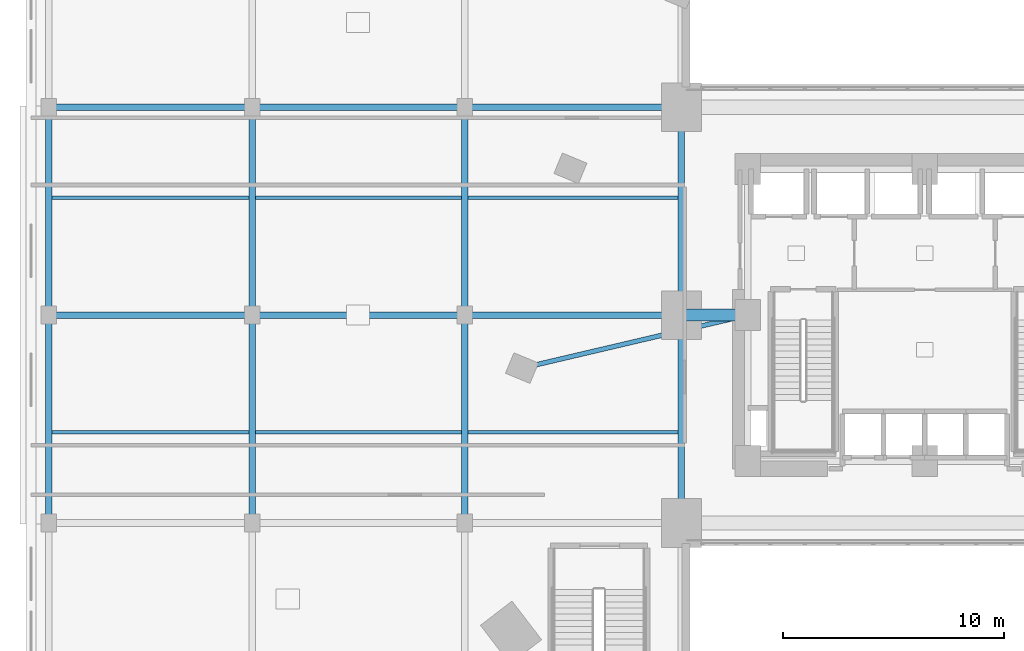
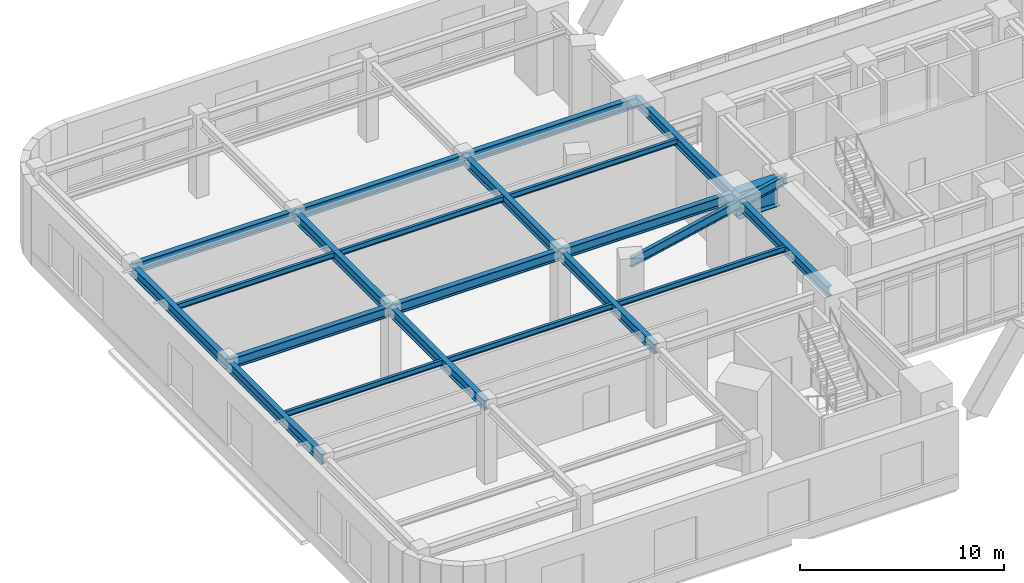
# One storey, part 3 of 26: 22 beams.
"""IFC4 building model written with IfcOpenShell, lengths in metres."""

import ifcopenshell
import ifcopenshell.guid

model = None  # the IFC model being written
_history = None  # IfcOwnerHistory: only IFC2X3 demands one
_inside = {}  # id of a spatial element -> (the spatial element, [elements in it])
_under = {}  # id of a project, library or spatial element -> (it, [spatial elements below it])
_declared = {}  # id of a project -> (the project, [libraries it declares])
_typed = {}  # id of a type object -> (the type object, [elements of that type])
_made_of = {}  # id of a material, layer set ... -> (it, [elements and type objects made of it])


def new_model(schema):
    """Start an empty IFC model of exactly this schema.

    Asked for "IFC4X3", IfcOpenShell would pick the latest addendum, in which some entities
    have other attributes; the version numbers below select the first issue.
    IFC2X3 requires an IfcOwnerHistory on every rooted entity: one is made here for all.
    """
    global model, _history
    if schema == "IFC4X3":
        model = ifcopenshell.file(schema_version=(4, 3, 0, 0))
    else:
        model = ifcopenshell.file(schema=schema)
    _inside.clear()
    _under.clear()
    _declared.clear()
    _typed.clear()
    _made_of.clear()
    _history = None
    if model.schema == "IFC2X3":
        org = make("IfcOrganization", Name="unknown")
        user = make(
            "IfcPersonAndOrganization",
            ThePerson=make("IfcPerson", FamilyName="unknown"),
            TheOrganization=org,
        )
        app = make(
            "IfcApplication",
            ApplicationDeveloper=org,
            Version="unknown",
            ApplicationFullName="unknown",
            ApplicationIdentifier="unknown",
        )
        _history = make(
            "IfcOwnerHistory",
            OwningUser=user,
            OwningApplication=app,
            ChangeAction="ADDED",
            CreationDate=0,
        )
    return model


def make(cls, **values):
    """One entity of the class cls with the attributes given. An attribute that is None is left unset."""
    return model.create_entity(
        cls, **{name: value for name, value in values.items() if value is not None}
    )


def rooted(cls, **values):
    """An entity with a GlobalId (a new one), such as an element, a storey or a relation."""
    return make(cls, GlobalId=ifcopenshell.guid.new(), OwnerHistory=_history, **values)


def si_unit(unit_type, name, prefix=None):
    """IfcSIUnit, for example si_unit("LENGTHUNIT", "METRE", prefix="MILLI")."""
    return make("IfcSIUnit", UnitType=unit_type, Prefix=prefix, Name=name)


def assignment(units):
    """IfcUnitAssignment: the units of a project."""
    return None if units is None else make("IfcUnitAssignment", Units=units)


def point(xyz):
    """IfcCartesianPoint."""
    return None if xyz is None else make("IfcCartesianPoint", Coordinates=xyz)


def direction(xyz):
    """IfcDirection."""
    return None if xyz is None else make("IfcDirection", DirectionRatios=xyz)


def frame(location, z_axis=None, x_axis=None):
    """IfcAxis2Placement3D, a coordinate frame: its origin and axes. An axis left out is left unset."""
    return make(
        "IfcAxis2Placement3D",
        Location=point(location),
        Axis=direction(z_axis),
        RefDirection=direction(x_axis),
    )


def frame_2d(location, x_axis=None):
    """IfcAxis2Placement2D, a coordinate frame in the plane: its origin and x axis."""
    return make(
        "IfcAxis2Placement2D", Location=point(location), RefDirection=direction(x_axis)
    )


def origin():
    """The frame at (0, 0, 0) with its axes left unset."""
    return frame((0.0, 0.0, 0.0))


def origin_2d():
    """The frame at (0, 0) in the plane with its x axis left unset."""
    return frame_2d((0.0, 0.0))


def place(relative_to, where):
    """IfcLocalPlacement: puts the frame where relative to a parent placement (None: the world)."""
    return make(
        "IfcLocalPlacement", PlacementRelTo=relative_to, RelativePlacement=where
    )


def context(
    kind, dimensions, precision=None, world=None, true_north=None, identifier=None
):
    """IfcGeometricRepresentationContext, for example the 3D "Model" context."""
    return make(
        "IfcGeometricRepresentationContext",
        ContextIdentifier=identifier,
        ContextType=kind,
        CoordinateSpaceDimension=dimensions,
        Precision=precision,
        WorldCoordinateSystem=world,
        TrueNorth=true_north,
    )


def subcontext(parent, identifier, kind, view, scale=None):
    """IfcGeometricRepresentationSubContext, for example "Body" below "Model"."""
    return make(
        "IfcGeometricRepresentationSubContext",
        ContextIdentifier=identifier,
        ContextType=kind,
        ParentContext=parent,
        TargetScale=scale,
        TargetView=view,
    )


def project(units=None, contexts=None):
    """IfcProject with its units and contexts."""
    return rooted(
        "IfcProject",
        Name="project",
        RepresentationContexts=contexts,
        UnitsInContext=assignment(units),
    )


def spatial(cls, under=None, at=None, **own):
    """A site, building, storey or space (cls), placed at a placement, below another one or the project."""
    s = rooted(cls, ObjectPlacement=at, **own)
    if under is not None:
        _under.setdefault(under.id(), (under, []))[1].append(s)
    return s


def profile(cls, at=None, kind="AREA", **sizes):
    """A parametric profile (cls). Its sizes go by their IFC names, for example OverallWidth=200.0."""
    return make(cls, ProfileType=kind, Position=at, **sizes)


def i_section(**sizes):
    """IfcIShapeProfileDef."""
    return profile("IfcIShapeProfileDef", **sizes)


def extrude(swept, where, along, depth):
    """IfcExtrudedAreaSolid: the profile swept, set in the frame where, extruded along a direction by depth."""
    return make(
        "IfcExtrudedAreaSolid",
        SweptArea=swept,
        Position=where,
        ExtrudedDirection=direction(along),
        Depth=depth,
    )


def shape(context_of_items, identifier, shape_type, items):
    """IfcShapeRepresentation: the items that make up one representation, for example the "Body"."""
    return make(
        "IfcShapeRepresentation",
        ContextOfItems=context_of_items,
        RepresentationIdentifier=identifier,
        RepresentationType=shape_type,
        Items=items,
    )


def material(Name=None, Category=None):
    """IfcMaterial."""
    return make("IfcMaterial", Name=Name, Category=Category)


def material_profile(
    of_material, cross_section, Name=None, Category=None, Priority=None
):
    """IfcMaterialProfile: a cross section and its material."""
    return make(
        "IfcMaterialProfile",
        Name=Name,
        Material=of_material,
        Profile=cross_section,
        Priority=Priority,
        Category=Category,
    )


def profile_set(profiles, Name=None, composite=None):
    """IfcMaterialProfileSet."""
    return make(
        "IfcMaterialProfileSet",
        Name=Name,
        MaterialProfiles=profiles,
        CompositeProfile=composite,
    )


def made_of(thing, what):
    """Note that an element or type object is made of a material, layer set ...; save() writes the relation."""
    if what is not None:
        _made_of.setdefault(what.id(), (what, []))[1].append(thing)
    return thing


def type_object(cls, material=None, **own):
    """A type object (cls), such as IfcWallType, which elements share."""
    return made_of(rooted(cls, **own), material)


def element(
    cls,
    number,
    at=None,
    inside=None,
    cuts=None,
    type_object=None,
    material=None,
    context=None,
    identifier="Body",
    shape_type=None,
    held_by="IfcProductDefinitionShape",
    body=None,
    shapes=None,
    **own,
):
    """One element of the class cls, such as IfcWall. Its Tag is "e" and its number.

    at: its placement. inside: the storey or other place that contains it. cuts: it is an
    opening in that element (IfcRelVoidsElement). A single representation is given by context,
    identifier, shape_type and body (its items); several are given by shapes. held_by: the class
    of the entity that holds the representations. save() writes the other relations.
    """
    e = rooted(cls, Tag="e%d" % number, ObjectPlacement=at, **own)
    if body is not None:
        shapes = [shape(context, identifier, shape_type, body)]
    if shapes is not None:
        e.Representation = make(held_by, Representations=shapes)
    if inside is not None:
        _inside.setdefault(inside.id(), (inside, []))[1].append(e)
    if cuts is not None:
        rooted(
            "IfcRelVoidsElement", RelatingBuildingElement=cuts, RelatedOpeningElement=e
        )
    if type_object is not None:
        _typed.setdefault(type_object.id(), (type_object, []))[1].append(e)
    return made_of(e, material)


def aggregate(whole, parts):
    """IfcRelAggregates: a whole, such as a stair, and the parts it consists of."""
    return rooted("IfcRelAggregates", RelatingObject=whole, RelatedObjects=parts)


def save(model, path):
    """Write the relations noted so far, then the file.

    IfcRelAggregates (storeys below a building ...), IfcRelContainedInSpatialStructure (elements
    in a storey), IfcRelDefinesByType, IfcRelAssociatesMaterial and IfcRelDeclares: one each for
    every whole, place, type object, material and project.
    """
    for whole, parts in _under.values():
        aggregate(whole, parts)
    for where, things in _inside.values():
        rooted(
            "IfcRelContainedInSpatialStructure",
            RelatedElements=things,
            RelatingStructure=where,
        )
    for kind, things in _typed.values():
        rooted("IfcRelDefinesByType", RelatedObjects=things, RelatingType=kind)
    for what, things in _made_of.values():
        rooted("IfcRelAssociatesMaterial", RelatedObjects=things, RelatingMaterial=what)
    for by, libraries in _declared.values():
        rooted("IfcRelDeclares", RelatingContext=by, RelatedDefinitions=libraries)
    model.write(path)


model = new_model("IFC4")

# Units and contexts
model_context = context("Model", 3, precision=1e-05, world=origin(), true_north=direction((0.0, 1.0)))
body_context = subcontext(model_context, "Body", "Model", "MODEL_VIEW")
ifc_project = project(units=[si_unit("LENGTHUNIT", "METRE"), si_unit("AREAUNIT", "SQUARE_METRE"), si_unit("VOLUMEUNIT", "CUBIC_METRE"), si_unit("PLANEANGLEUNIT", "RADIAN"), si_unit("MASSUNIT", "GRAM", prefix="KILO")], contexts=[model_context])

# Site, building, storey
site_placement = place(None, origin())
site = spatial("IfcSite", under=ifc_project, at=site_placement, CompositionType="ELEMENT")
building_placement = place(site_placement, origin())
building = spatial("IfcBuilding", under=site, at=building_placement, Name="Ndelora Gate Hotel", CompositionType="ELEMENT")
storey_placement = place(building_placement, frame((0.0, 0.0, 6.0)))
storey = spatial("IfcBuildingStorey", under=building, at=storey_placement, Name="L01", CompositionType="ELEMENT", Elevation=6.0)

# Beams
ifc_material_1 = material(Name="Steel S355", Category="steel")
ifc_material_profile_1 = material_profile(ifc_material_1, i_section(OverallWidth=0.159912109375, OverallDepth=0.330078125, WebThickness=0.007568359375, FlangeThickness=0.011474609375, FilletRadius=0.01806640625, at=origin_2d()), Name="IPE 330")
ifc_profile_set_1 = profile_set([ifc_material_profile_1], Name="Steel S355")
beam_type_1 = type_object("IfcBeamType", Name="BM-JST-330", PredefinedType="JOIST", material=ifc_profile_set_1)
beam_1_placement = place(storey_placement, frame((-39.449951171875, -5.300048828125, 4.554931640625), z_axis=(1.0, 0.0, 0.0), x_axis=(0.0, 1.0, 0.0)))
element("IfcBeam", 1, at=beam_1_placement, inside=storey, type_object=beam_type_1, Name="L01 Podium Composite Secondary Joist 1", PredefinedType="JOIST", context=body_context, shape_type="SweptSolid", body=[
    extrude(i_section(OverallWidth=0.159912109375, OverallDepth=0.330078125, WebThickness=0.007568359375, FlangeThickness=0.011474609375, FilletRadius=0.01806640625, at=origin_2d()), origin(), (0.0, 0.0, 1.0), 8.89990234375),
])
beam_2_placement = place(storey_placement, frame((-30.25, -5.300048828125, 4.554931640625), z_axis=(1.0, 0.0, 0.0), x_axis=(0.0, 1.0, 0.0)))
element("IfcBeam", 2, at=beam_2_placement, inside=storey, type_object=beam_type_1, Name="L01 Podium Composite Secondary Joist 2", PredefinedType="JOIST", context=body_context, shape_type="SweptSolid", body=[
    extrude(i_section(OverallWidth=0.159912109375, OverallDepth=0.330078125, WebThickness=0.007568359375, FlangeThickness=0.011474609375, FilletRadius=0.01806640625, at=origin_2d()), origin(), (0.0, 0.0, 1.0), 9.300048828125),
])
beam_3_placement = place(storey_placement, frame((-20.64990234375, -5.300048828125, 4.554931640625), z_axis=(1.0, 0.0, 0.0), x_axis=(0.0, 1.0, 0.0)))
element("IfcBeam", 3, at=beam_3_placement, inside=storey, type_object=beam_type_1, Name="L01 Podium Composite Secondary Joist 3", PredefinedType="JOIST", context=body_context, shape_type="SweptSolid", body=[
    extrude(i_section(OverallWidth=0.159912109375, OverallDepth=0.330078125, WebThickness=0.007568359375, FlangeThickness=0.011474609375, FilletRadius=0.01806640625, at=origin_2d()), origin(), (0.0, 0.0, 1.0), 9.5),
])
beam_4_placement = place(storey_placement, frame((-39.449951171875, 5.300048828125, 4.554931640625), z_axis=(1.0, 0.0, 0.0), x_axis=(0.0, 1.0, 0.0)))
element("IfcBeam", 4, at=beam_4_placement, inside=storey, type_object=beam_type_1, Name="L01 Podium Composite Secondary Joist 1", PredefinedType="JOIST", context=body_context, shape_type="SweptSolid", body=[
    extrude(i_section(OverallWidth=0.159912109375, OverallDepth=0.330078125, WebThickness=0.007568359375, FlangeThickness=0.011474609375, FilletRadius=0.01806640625, at=origin_2d()), origin(), (0.0, 0.0, 1.0), 8.89990234375),
])
beam_5_placement = place(storey_placement, frame((-30.25, 5.300048828125, 4.554931640625), z_axis=(1.0, 0.0, 0.0), x_axis=(0.0, 1.0, 0.0)))
element("IfcBeam", 5, at=beam_5_placement, inside=storey, type_object=beam_type_1, Name="L01 Podium Composite Secondary Joist 2", PredefinedType="JOIST", context=body_context, shape_type="SweptSolid", body=[
    extrude(i_section(OverallWidth=0.159912109375, OverallDepth=0.330078125, WebThickness=0.007568359375, FlangeThickness=0.011474609375, FilletRadius=0.01806640625, at=origin_2d()), origin(), (0.0, 0.0, 1.0), 9.300048828125),
])
beam_6_placement = place(storey_placement, frame((-20.64990234375, 5.300048828125, 4.554931640625), z_axis=(1.0, 0.0, 0.0), x_axis=(0.0, 1.0, 0.0)))
element("IfcBeam", 6, at=beam_6_placement, inside=storey, type_object=beam_type_1, Name="L01 Podium Composite Secondary Joist 3", PredefinedType="JOIST", context=body_context, shape_type="SweptSolid", body=[
    extrude(i_section(OverallWidth=0.159912109375, OverallDepth=0.330078125, WebThickness=0.007568359375, FlangeThickness=0.011474609375, FilletRadius=0.01806640625, at=origin_2d()), origin(), (0.0, 0.0, 1.0), 9.5),
])
ifc_material_profile_2 = material_profile(ifc_material_1, i_section(OverallWidth=0.300048828125, OverallDepth=0.60009765625, WebThickness=0.015380859375, FlangeThickness=0.030029296875, FilletRadius=0.027099609375, at=origin_2d()), Name="HEB 600")
ifc_profile_set_2 = profile_set([ifc_material_profile_2], Name="Steel S355")
beam_type_2 = type_object("IfcBeamType", Name="BM-POD-600", PredefinedType="BEAM", material=ifc_profile_set_2)
for number, where, z_axis, x_axis, name in (
    (7, (-39.60009765625, -9.39990234375, 4.419921875), (0.0, 1.0, 0.0), (-1.0, 0.0, 0.0), "L01 Podium Longitudinal Girder X=-39.6"),
    (8, (-39.60009765625, 0.0, 4.419921875), (0.0, 1.0, 0.0), (-1.0, 0.0, 0.0), "L01 Podium Longitudinal Girder X=-39.6"),
    (9, (-30.39990234375, -9.39990234375, 4.419921875), (0.0, 1.0, 0.0), (-1.0, 0.0, 0.0), "L01 Podium Longitudinal Girder X=-30.4"),
    (10, (-30.39990234375, 0.0, 4.419921875), (0.0, 1.0, 0.0), (-1.0, 0.0, 0.0), "L01 Podium Longitudinal Girder X=-30.4"),
    (11, (-20.800048828125, -9.39990234375, 4.419921875), (0.0, 1.0, 0.0), (-1.0, 0.0, 0.0), "L01 Podium Longitudinal Girder X=-20.8"),
    (12, (-20.800048828125, 0.0, 4.419921875), (0.0, 1.0, 0.0), (-1.0, 0.0, 0.0), "L01 Podium Longitudinal Girder X=-20.8"),
    (13, (-11.0, -9.39990234375, 4.419921875), (0.0, 1.0, 0.0), (-1.0, 0.0, 0.0), "L01 Podium Longitudinal Girder X=-11.0"),
    (14, (-11.0, 0.0, 4.419921875), (0.0, 1.0, 0.0), (-1.0, 0.0, 0.0), "L01 Podium Longitudinal Girder X=-11.0"),
):
    element("IfcBeam", number, at=place(storey_placement, frame(where, z_axis=z_axis, x_axis=x_axis)), inside=storey, type_object=beam_type_2, Name=name, PredefinedType="BEAM", context=body_context, shape_type="SweptSolid", body=[
        extrude(i_section(OverallWidth=0.300048828125, OverallDepth=0.60009765625, WebThickness=0.015380859375, FlangeThickness=0.030029296875, FilletRadius=0.027099609375, at=origin_2d()), origin(), (0.0, 0.0, 1.0), 9.39990234375),
    ])
beam_7_placement = place(storey_placement, frame((-39.60009765625, 0.0, 4.419921875), z_axis=(1.0, 0.0, 0.0), x_axis=(0.0, 1.0, 0.0)))
element("IfcBeam", 15, at=beam_7_placement, inside=storey, type_object=beam_type_2, Name="L01 Podium Transverse Girder Y=+0.0", PredefinedType="BEAM", context=body_context, shape_type="SweptSolid", body=[
    extrude(i_section(OverallWidth=0.300048828125, OverallDepth=0.60009765625, WebThickness=0.015380859375, FlangeThickness=0.030029296875, FilletRadius=0.027099609375, at=origin_2d()), origin(), (0.0, 0.0, 1.0), 9.2001953125),
])
beam_8_placement = place(storey_placement, frame((-30.39990234375, 0.0, 4.419921875), z_axis=(1.0, 0.0, 0.0), x_axis=(0.0, 1.0, 0.0)))
element("IfcBeam", 16, at=beam_8_placement, inside=storey, type_object=beam_type_2, Name="L01 Podium Transverse Girder Y=+0.0", PredefinedType="BEAM", context=body_context, shape_type="SweptSolid", body=[
    extrude(i_section(OverallWidth=0.300048828125, OverallDepth=0.60009765625, WebThickness=0.015380859375, FlangeThickness=0.030029296875, FilletRadius=0.027099609375, at=origin_2d()), origin(), (0.0, 0.0, 1.0), 9.599853515625),
])
beam_9_placement = place(storey_placement, frame((-20.800048828125, 0.0, 4.419921875), z_axis=(1.0, 0.0, 0.0), x_axis=(0.0, 1.0, 0.0)))
element("IfcBeam", 17, at=beam_9_placement, inside=storey, type_object=beam_type_2, Name="L01 Podium Transverse Girder Y=+0.0", PredefinedType="BEAM", context=body_context, shape_type="SweptSolid", body=[
    extrude(i_section(OverallWidth=0.300048828125, OverallDepth=0.60009765625, WebThickness=0.015380859375, FlangeThickness=0.030029296875, FilletRadius=0.027099609375, at=origin_2d()), origin(), (0.0, 0.0, 1.0), 9.800048828125),
])
beam_10_placement = place(storey_placement, frame((-39.60009765625, 9.39990234375, 4.419921875), z_axis=(1.0, 0.0, 0.0), x_axis=(0.0, 1.0, 0.0)))
element("IfcBeam", 18, at=beam_10_placement, inside=storey, type_object=beam_type_2, Name="L01 Podium Transverse Girder Y=+9.4", PredefinedType="BEAM", context=body_context, shape_type="SweptSolid", body=[
    extrude(i_section(OverallWidth=0.300048828125, OverallDepth=0.60009765625, WebThickness=0.015380859375, FlangeThickness=0.030029296875, FilletRadius=0.027099609375, at=origin_2d()), origin(), (0.0, 0.0, 1.0), 9.2001953125),
])
beam_11_placement = place(storey_placement, frame((-30.39990234375, 9.39990234375, 4.419921875), z_axis=(1.0, 0.0, 0.0), x_axis=(0.0, 1.0, 0.0)))
element("IfcBeam", 19, at=beam_11_placement, inside=storey, type_object=beam_type_2, Name="L01 Podium Transverse Girder Y=+9.4", PredefinedType="BEAM", context=body_context, shape_type="SweptSolid", body=[
    extrude(i_section(OverallWidth=0.300048828125, OverallDepth=0.60009765625, WebThickness=0.015380859375, FlangeThickness=0.030029296875, FilletRadius=0.027099609375, at=origin_2d()), origin(), (0.0, 0.0, 1.0), 9.599853515625),
])
beam_12_placement = place(storey_placement, frame((-20.800048828125, 9.39990234375, 4.419921875), z_axis=(1.0, 0.0, 0.0), x_axis=(0.0, 1.0, 0.0)))
element("IfcBeam", 20, at=beam_12_placement, inside=storey, type_object=beam_type_2, Name="L01 Podium Transverse Girder Y=+9.4", PredefinedType="BEAM", context=body_context, shape_type="SweptSolid", body=[
    extrude(i_section(OverallWidth=0.300048828125, OverallDepth=0.60009765625, WebThickness=0.015380859375, FlangeThickness=0.030029296875, FilletRadius=0.027099609375, at=origin_2d()), origin(), (0.0, 0.0, 1.0), 9.800048828125),
])
ifc_material_profile_3 = material_profile(ifc_material_1, i_section(OverallWidth=0.2099609375, OverallDepth=0.550048828125, WebThickness=0.010986328125, FlangeThickness=0.01708984375, FilletRadius=0.02392578125, at=origin_2d()), Name="IPE 550")
ifc_profile_set_3 = profile_set([ifc_material_profile_3], Name="Steel S355")
beam_type_3 = type_object("IfcBeamType", Name="BM-RAD-550", PredefinedType="BEAM", material=ifc_profile_set_3)
beam_13_placement = place(storey_placement, frame((-8.0, 0.0, 4.445068359375), z_axis=(-0.973517848051, -0.22861102232, 0.0), x_axis=(0.22861102232, -0.973517848051, 0.0)))
element("IfcBeam", 21, at=beam_13_placement, inside=storey, type_object=beam_type_3, Name="L01 Tower Root Radial Tie Beam 4", PredefinedType="BEAM", context=body_context, shape_type="SweptSolid", body=[
    extrude(i_section(OverallWidth=0.2099609375, OverallDepth=0.550048828125, WebThickness=0.010986328125, FlangeThickness=0.01708984375, FilletRadius=0.02392578125, at=origin_2d()), origin(), (0.0, 0.0, 1.0), 10.48486328125),
])
ifc_material_2 = material(Name="Steel S460", Category="steel")
ifc_material_profile_4 = material_profile(ifc_material_2, i_section(OverallWidth=0.550048828125, OverallDepth=1.60009765625, WebThickness=0.02587890625, FlangeThickness=0.0380859375, FilletRadius=0.02392578125, at=origin_2d()), Name="PG 1600x550x38")
ifc_profile_set_4 = profile_set([ifc_material_profile_4], Name="Steel S460")
beam_type_4 = type_object("IfcBeamType", Name="BM-TR-1600", PredefinedType="BEAM", material=ifc_profile_set_4)
beam_14_placement = place(storey_placement, frame((-10.85009765625, 0.0, 3.919921875), z_axis=(1.0, 0.0, 0.0), x_axis=(0.0, 1.0, 0.0)))
element("IfcBeam", 22, at=beam_14_placement, inside=storey, type_object=beam_type_4, Name="L01 structural beam TG-2", PredefinedType="BEAM", context=body_context, shape_type="SweptSolid", body=[
    extrude(i_section(OverallWidth=0.550048828125, OverallDepth=1.60009765625, WebThickness=0.02587890625, FlangeThickness=0.0380859375, FilletRadius=0.02392578125, at=origin_2d()), origin(), (0.0, 0.0, 1.0), 2.35009765625),
])

save(model, "model.ifc")
